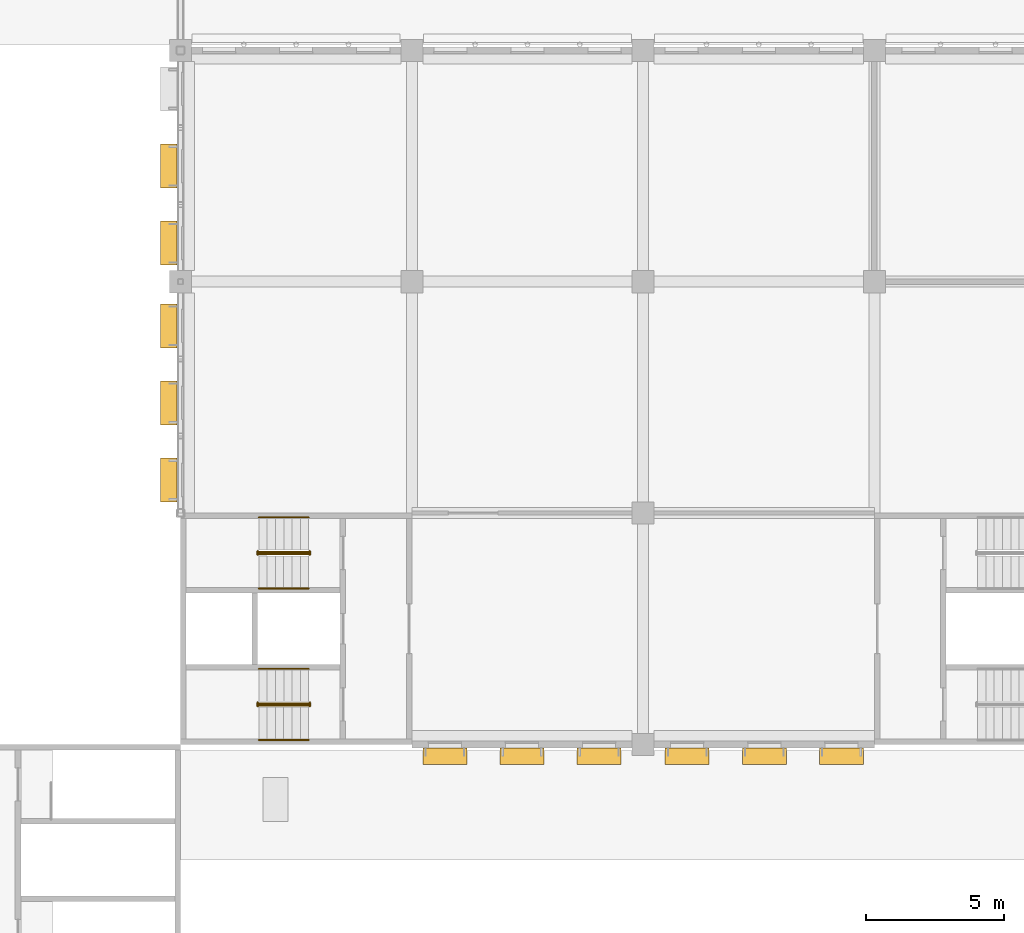
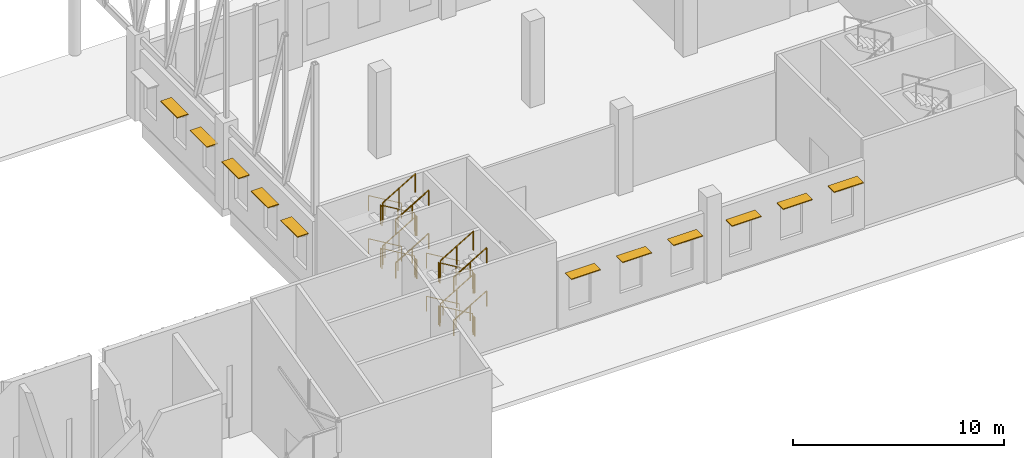
# One storey, part 81 of 101: 24 railings, 11 shading devices.
"""IFC4 building model written with IfcOpenShell, lengths in metres."""

from ifc_helpers import new_model, si_unit, direction, frame, origin, origin_2d, place, context, subcontext, project, spatial, rectangle, circle, extrude, material, material_profile, profile_set, type_object, element, save


model = new_model("IFC4")

# Units and contexts
model_context = context("Model", 3, precision=1e-05, world=origin(), true_north=direction((0.0, 1.0)))
body_context = subcontext(model_context, "Body", "Model", "MODEL_VIEW")
ifc_project = project(units=[si_unit("LENGTHUNIT", "METRE"), si_unit("AREAUNIT", "SQUARE_METRE"), si_unit("VOLUMEUNIT", "CUBIC_METRE"), si_unit("PLANEANGLEUNIT", "RADIAN"), si_unit("MASSUNIT", "GRAM", prefix="KILO")], contexts=[model_context])

# Site, building, storey
site_placement = place(None, origin())
site = spatial("IfcSite", under=ifc_project, at=site_placement, CompositionType="ELEMENT")
building_placement = place(site_placement, origin())
building = spatial("IfcBuilding", under=site, at=building_placement, Name="Almond Square Museum", CompositionType="ELEMENT")
storey_placement = place(building_placement, frame((0.0, 0.0, 5.5)))
storey = spatial("IfcBuildingStorey", under=building, at=storey_placement, Name="L01", CompositionType="ELEMENT", Elevation=5.5)

# Railings
ifc_material_1 = material(Name="Stainless steel and laminated glass", Category="steel")
railing_type_1 = type_object("IfcRailingType", Name="Stair guard 1100 steel and glass", PredefinedType="GUARDRAIL", material=ifc_material_1)
railing_1_placement = place(storey_placement, frame((44.25, 85.489990234375, 0.178466796875)))
element("IfcRailing", 1, at=railing_1_placement, inside=storey, type_object=railing_type_1, Name="L01 ST-17 stair guard 1", PredefinedType="GUARDRAIL", context=body_context, shape_type="SweptSolid", body=[
    extrude(circle(Radius=0.02392578125, at=origin_2d()), frame((0.0, 0.0, 1.076171875), z_axis=(-0.859277029364, 0.0, 0.511510495305), x_axis=(0.0, -1.0, 0.0)), (0.0, 0.0, 1.0), 2.0947265625),
    extrude(circle(Radius=0.02099609375, at=origin_2d()), origin(), (0.0, 0.0, 1.0), 1.052001953125),
    extrude(circle(Radius=0.02099609375, at=origin_2d()), frame((-0.89990234375, 0.0, 0.53564453125)), (0.0, 0.0, 1.0), 1.052001953125),
    extrude(circle(Radius=0.02099609375, at=origin_2d()), frame((-1.800048828125, 0.0, 1.071533203125)), (0.0, 0.0, 1.0), 1.052001953125),
])
railing_2_placement = place(storey_placement, frame((42.39990234375, 85.52001953125, 1.25)))
element("IfcRailing", 2, at=railing_2_placement, inside=storey, type_object=railing_type_1, Name="L01 ST-17 stair guard 2", PredefinedType="GUARDRAIL", context=body_context, shape_type="SweptSolid", body=[
    extrude(circle(Radius=0.02392578125, at=origin_2d()), frame((0.0, 0.0, 1.076171875), z_axis=(0.0, -1.0, 0.0), x_axis=(1.0, 0.0, 0.0)), (0.0, 0.0, 1.0), 0.14013671875),
    extrude(circle(Radius=0.02099609375, at=origin_2d()), origin(), (0.0, 0.0, 1.0), 1.052001953125),
    extrude(circle(Radius=0.02099609375, at=origin_2d()), frame((0.0, -0.14013671875, 0.0)), (0.0, 0.0, 1.0), 1.052001953125),
])
railing_3_placement = place(storey_placement, frame((42.449951171875, 85.409912109375, 1.428466796875)))
element("IfcRailing", 3, at=railing_3_placement, inside=storey, type_object=railing_type_1, Name="L01 ST-17 stair guard 3", PredefinedType="GUARDRAIL", context=body_context, shape_type="SweptSolid", body=[
    extrude(circle(Radius=0.02392578125, at=origin_2d()), frame((0.0, 0.0, 1.076171875), z_axis=(0.859277029364, 0.0, 0.511510495305), x_axis=(0.0, 1.0, 0.0)), (0.0, 0.0, 1.0), 2.0947265625),
    extrude(circle(Radius=0.02099609375, at=origin_2d()), origin(), (0.0, 0.0, 1.0), 1.052001953125),
    extrude(circle(Radius=0.02099609375, at=origin_2d()), frame((0.89990234375, 0.0, 0.53564453125)), (0.0, 0.0, 1.0), 1.052001953125),
    extrude(circle(Radius=0.02099609375, at=origin_2d()), frame((1.800048828125, 0.0, 1.071533203125)), (0.0, 0.0, 1.0), 1.052001953125),
])
railing_4_placement = place(storey_placement, frame((44.300048828125, 85.52001953125, 2.5)))
element("IfcRailing", 4, at=railing_4_placement, inside=storey, type_object=railing_type_1, Name="L01 ST-17 stair guard 4", PredefinedType="GUARDRAIL", context=body_context, shape_type="SweptSolid", body=[
    extrude(circle(Radius=0.02392578125, at=origin_2d()), frame((0.0, 0.0, 1.076171875), z_axis=(0.0, -1.0, 0.0), x_axis=(1.0, 0.0, 0.0)), (0.0, 0.0, 1.0), 0.14013671875),
    extrude(circle(Radius=0.02099609375, at=origin_2d()), origin(), (0.0, 0.0, 1.0), 1.052001953125),
    extrude(circle(Radius=0.02099609375, at=origin_2d()), frame((0.0, -0.14013671875, 0.0)), (0.0, 0.0, 1.0), 1.052001953125),
])
railing_5_placement = place(storey_placement, frame((44.25, 85.489990234375, 2.678466796875)))
element("IfcRailing", 5, at=railing_5_placement, inside=storey, type_object=railing_type_1, Name="L01 ST-17 stair guard 5", PredefinedType="GUARDRAIL", context=body_context, shape_type="SweptSolid", body=[
    extrude(circle(Radius=0.02392578125, at=origin_2d()), frame((0.0, 0.0, 1.076171875), z_axis=(-0.859277029364, 0.0, 0.511510495305), x_axis=(0.0, -1.0, 0.0)), (0.0, 0.0, 1.0), 2.0947265625),
    extrude(circle(Radius=0.02099609375, at=origin_2d()), origin(), (0.0, 0.0, 1.0), 1.052001953125),
    extrude(circle(Radius=0.02099609375, at=origin_2d()), frame((-0.89990234375, 0.0, 0.53564453125)), (0.0, 0.0, 1.0), 1.052001953125),
    extrude(circle(Radius=0.02099609375, at=origin_2d()), frame((-1.800048828125, 0.0, 1.071533203125)), (0.0, 0.0, 1.0), 1.052001953125),
])
railing_6_placement = place(storey_placement, frame((42.39990234375, 85.52001953125, 3.75)))
element("IfcRailing", 6, at=railing_6_placement, inside=storey, type_object=railing_type_1, Name="L01 ST-17 stair guard 6", PredefinedType="GUARDRAIL", context=body_context, shape_type="SweptSolid", body=[
    extrude(circle(Radius=0.02392578125, at=origin_2d()), frame((0.0, 0.0, 1.076171875), z_axis=(0.0, -1.0, 0.0), x_axis=(1.0, 0.0, 0.0)), (0.0, 0.0, 1.0), 0.14013671875),
    extrude(circle(Radius=0.02099609375, at=origin_2d()), origin(), (0.0, 0.0, 1.0), 1.052001953125),
    extrude(circle(Radius=0.02099609375, at=origin_2d()), frame((0.0, -0.14013671875, 0.0)), (0.0, 0.0, 1.0), 1.052001953125),
])
railing_7_placement = place(storey_placement, frame((42.449951171875, 85.409912109375, 3.928466796875)))
element("IfcRailing", 7, at=railing_7_placement, inside=storey, type_object=railing_type_1, Name="L01 ST-17 stair guard 7", PredefinedType="GUARDRAIL", context=body_context, shape_type="SweptSolid", body=[
    extrude(circle(Radius=0.02392578125, at=origin_2d()), frame((0.0, 0.0, 1.076171875), z_axis=(0.859277029364, 0.0, 0.511510495305), x_axis=(0.0, 1.0, 0.0)), (0.0, 0.0, 1.0), 2.0947265625),
    extrude(circle(Radius=0.02099609375, at=origin_2d()), origin(), (0.0, 0.0, 1.0), 1.052001953125),
    extrude(circle(Radius=0.02099609375, at=origin_2d()), frame((0.89990234375, 0.0, 0.53564453125)), (0.0, 0.0, 1.0), 1.052001953125),
    extrude(circle(Radius=0.02099609375, at=origin_2d()), frame((1.800048828125, 0.0, 1.071533203125)), (0.0, 0.0, 1.0), 1.052001953125),
])
railing_8_placement = place(storey_placement, frame((44.300048828125, 85.52001953125, 0.0)))
element("IfcRailing", 8, at=railing_8_placement, inside=storey, type_object=railing_type_1, Name="L01 ST-17 stair guard 8", PredefinedType="GUARDRAIL", context=body_context, shape_type="SweptSolid", body=[
    extrude(circle(Radius=0.02392578125, at=origin_2d()), frame((0.0, 0.0, 1.076171875), z_axis=(0.0, -1.0, 0.0), x_axis=(1.0, 0.0, 0.0)), (0.0, 0.0, 1.0), 0.14013671875),
    extrude(circle(Radius=0.02099609375, at=origin_2d()), origin(), (0.0, 0.0, 1.0), 1.052001953125),
    extrude(circle(Radius=0.02099609375, at=origin_2d()), frame((0.0, -0.14013671875, 0.0)), (0.0, 0.0, 1.0), 1.052001953125),
])
railing_9_placement = place(storey_placement, frame((44.25, 90.989990234375, 0.178466796875)))
element("IfcRailing", 9, at=railing_9_placement, inside=storey, type_object=railing_type_1, Name="L01 ST-18 stair guard 1", PredefinedType="GUARDRAIL", context=body_context, shape_type="SweptSolid", body=[
    extrude(circle(Radius=0.02392578125, at=origin_2d()), frame((0.0, 0.0, 1.076171875), z_axis=(-0.859277029364, 0.0, 0.511510495305), x_axis=(0.0, -1.0, 0.0)), (0.0, 0.0, 1.0), 2.0947265625),
    extrude(circle(Radius=0.02099609375, at=origin_2d()), origin(), (0.0, 0.0, 1.0), 1.052001953125),
    extrude(circle(Radius=0.02099609375, at=origin_2d()), frame((-0.89990234375, 0.0, 0.53564453125)), (0.0, 0.0, 1.0), 1.052001953125),
    extrude(circle(Radius=0.02099609375, at=origin_2d()), frame((-1.800048828125, 0.0, 1.071533203125)), (0.0, 0.0, 1.0), 1.052001953125),
])
railing_10_placement = place(storey_placement, frame((42.39990234375, 91.02001953125, 1.25)))
element("IfcRailing", 10, at=railing_10_placement, inside=storey, type_object=railing_type_1, Name="L01 ST-18 stair guard 2", PredefinedType="GUARDRAIL", context=body_context, shape_type="SweptSolid", body=[
    extrude(circle(Radius=0.02392578125, at=origin_2d()), frame((0.0, 0.0, 1.076171875), z_axis=(0.0, -1.0, 0.0), x_axis=(1.0, 0.0, 0.0)), (0.0, 0.0, 1.0), 0.14013671875),
    extrude(circle(Radius=0.02099609375, at=origin_2d()), origin(), (0.0, 0.0, 1.0), 1.052001953125),
    extrude(circle(Radius=0.02099609375, at=origin_2d()), frame((0.0, -0.14013671875, 0.0)), (0.0, 0.0, 1.0), 1.052001953125),
])
railing_11_placement = place(storey_placement, frame((42.449951171875, 90.909912109375, 1.428466796875)))
element("IfcRailing", 11, at=railing_11_placement, inside=storey, type_object=railing_type_1, Name="L01 ST-18 stair guard 3", PredefinedType="GUARDRAIL", context=body_context, shape_type="SweptSolid", body=[
    extrude(circle(Radius=0.02392578125, at=origin_2d()), frame((0.0, 0.0, 1.076171875), z_axis=(0.859277029364, 0.0, 0.511510495305), x_axis=(0.0, 1.0, 0.0)), (0.0, 0.0, 1.0), 2.0947265625),
    extrude(circle(Radius=0.02099609375, at=origin_2d()), origin(), (0.0, 0.0, 1.0), 1.052001953125),
    extrude(circle(Radius=0.02099609375, at=origin_2d()), frame((0.89990234375, 0.0, 0.53564453125)), (0.0, 0.0, 1.0), 1.052001953125),
    extrude(circle(Radius=0.02099609375, at=origin_2d()), frame((1.800048828125, 0.0, 1.071533203125)), (0.0, 0.0, 1.0), 1.052001953125),
])
railing_12_placement = place(storey_placement, frame((44.300048828125, 91.02001953125, 2.5)))
element("IfcRailing", 12, at=railing_12_placement, inside=storey, type_object=railing_type_1, Name="L01 ST-18 stair guard 4", PredefinedType="GUARDRAIL", context=body_context, shape_type="SweptSolid", body=[
    extrude(circle(Radius=0.02392578125, at=origin_2d()), frame((0.0, 0.0, 1.076171875), z_axis=(0.0, -1.0, 0.0), x_axis=(1.0, 0.0, 0.0)), (0.0, 0.0, 1.0), 0.14013671875),
    extrude(circle(Radius=0.02099609375, at=origin_2d()), origin(), (0.0, 0.0, 1.0), 1.052001953125),
    extrude(circle(Radius=0.02099609375, at=origin_2d()), frame((0.0, -0.14013671875, 0.0)), (0.0, 0.0, 1.0), 1.052001953125),
])
railing_13_placement = place(storey_placement, frame((44.25, 90.989990234375, 2.678466796875)))
element("IfcRailing", 13, at=railing_13_placement, inside=storey, type_object=railing_type_1, Name="L01 ST-18 stair guard 5", PredefinedType="GUARDRAIL", context=body_context, shape_type="SweptSolid", body=[
    extrude(circle(Radius=0.02392578125, at=origin_2d()), frame((0.0, 0.0, 1.076171875), z_axis=(-0.859277029364, 0.0, 0.511510495305), x_axis=(0.0, -1.0, 0.0)), (0.0, 0.0, 1.0), 2.0947265625),
    extrude(circle(Radius=0.02099609375, at=origin_2d()), origin(), (0.0, 0.0, 1.0), 1.052001953125),
    extrude(circle(Radius=0.02099609375, at=origin_2d()), frame((-0.89990234375, 0.0, 0.53564453125)), (0.0, 0.0, 1.0), 1.052001953125),
    extrude(circle(Radius=0.02099609375, at=origin_2d()), frame((-1.800048828125, 0.0, 1.071533203125)), (0.0, 0.0, 1.0), 1.052001953125),
])
railing_14_placement = place(storey_placement, frame((42.39990234375, 91.02001953125, 3.75)))
element("IfcRailing", 14, at=railing_14_placement, inside=storey, type_object=railing_type_1, Name="L01 ST-18 stair guard 6", PredefinedType="GUARDRAIL", context=body_context, shape_type="SweptSolid", body=[
    extrude(circle(Radius=0.02392578125, at=origin_2d()), frame((0.0, 0.0, 1.076171875), z_axis=(0.0, -1.0, 0.0), x_axis=(1.0, 0.0, 0.0)), (0.0, 0.0, 1.0), 0.14013671875),
    extrude(circle(Radius=0.02099609375, at=origin_2d()), origin(), (0.0, 0.0, 1.0), 1.052001953125),
    extrude(circle(Radius=0.02099609375, at=origin_2d()), frame((0.0, -0.14013671875, 0.0)), (0.0, 0.0, 1.0), 1.052001953125),
])
railing_15_placement = place(storey_placement, frame((42.449951171875, 90.909912109375, 3.928466796875)))
element("IfcRailing", 15, at=railing_15_placement, inside=storey, type_object=railing_type_1, Name="L01 ST-18 stair guard 7", PredefinedType="GUARDRAIL", context=body_context, shape_type="SweptSolid", body=[
    extrude(circle(Radius=0.02392578125, at=origin_2d()), frame((0.0, 0.0, 1.076171875), z_axis=(0.859277029364, 0.0, 0.511510495305), x_axis=(0.0, 1.0, 0.0)), (0.0, 0.0, 1.0), 2.0947265625),
    extrude(circle(Radius=0.02099609375, at=origin_2d()), origin(), (0.0, 0.0, 1.0), 1.052001953125),
    extrude(circle(Radius=0.02099609375, at=origin_2d()), frame((0.89990234375, 0.0, 0.53564453125)), (0.0, 0.0, 1.0), 1.052001953125),
    extrude(circle(Radius=0.02099609375, at=origin_2d()), frame((1.800048828125, 0.0, 1.071533203125)), (0.0, 0.0, 1.0), 1.052001953125),
])
railing_16_placement = place(storey_placement, frame((44.300048828125, 91.02001953125, 0.0)))
element("IfcRailing", 16, at=railing_16_placement, inside=storey, type_object=railing_type_1, Name="L01 ST-18 stair guard 8", PredefinedType="GUARDRAIL", context=body_context, shape_type="SweptSolid", body=[
    extrude(circle(Radius=0.02392578125, at=origin_2d()), frame((0.0, 0.0, 1.076171875), z_axis=(0.0, -1.0, 0.0), x_axis=(1.0, 0.0, 0.0)), (0.0, 0.0, 1.0), 0.14013671875),
    extrude(circle(Radius=0.02099609375, at=origin_2d()), origin(), (0.0, 0.0, 1.0), 1.052001953125),
    extrude(circle(Radius=0.02099609375, at=origin_2d()), frame((0.0, -0.14013671875, 0.0)), (0.0, 0.0, 1.0), 1.052001953125),
])
ifc_material_2 = material(Name="Stainless steel", Category="steel")
railing_type_2 = type_object("IfcRailingType", Name="Stair handrail 900 steel", PredefinedType="HANDRAIL", material=ifc_material_2)
railing_17_placement = place(storey_placement, frame((44.25, 86.7451171875, 0.178466796875)))
element("IfcRailing", 17, at=railing_17_placement, inside=storey, type_object=railing_type_2, Name="L01 ST-17 stair handrail 1", PredefinedType="HANDRAIL", context=body_context, shape_type="SweptSolid", body=[
    extrude(circle(Radius=0.02392578125, at=origin_2d()), frame((0.0, 0.0, 0.8759765625), z_axis=(-0.859277029364, 0.0, 0.511510495305), x_axis=(0.0, -1.0, 0.0)), (0.0, 0.0, 1.0), 2.0947265625),
    extrude(circle(Radius=0.02099609375, at=origin_2d()), origin(), (0.0, 0.0, 1.0), 0.851806640625),
    extrude(circle(Radius=0.02099609375, at=origin_2d()), frame((-0.89990234375, 0.0, 0.53564453125)), (0.0, 0.0, 1.0), 0.851806640625),
    extrude(circle(Radius=0.02099609375, at=origin_2d()), frame((-1.800048828125, 0.0, 1.071533203125)), (0.0, 0.0, 1.0), 0.851806640625),
])
railing_18_placement = place(storey_placement, frame((42.449951171875, 84.155029296875, 1.428466796875)))
element("IfcRailing", 18, at=railing_18_placement, inside=storey, type_object=railing_type_2, Name="L01 ST-17 stair handrail 2", PredefinedType="HANDRAIL", context=body_context, shape_type="SweptSolid", body=[
    extrude(circle(Radius=0.02392578125, at=origin_2d()), frame((0.0, 0.0, 0.8759765625), z_axis=(0.859277029364, 0.0, 0.511510495305), x_axis=(0.0, 1.0, 0.0)), (0.0, 0.0, 1.0), 2.0947265625),
    extrude(circle(Radius=0.02099609375, at=origin_2d()), origin(), (0.0, 0.0, 1.0), 0.851806640625),
    extrude(circle(Radius=0.02099609375, at=origin_2d()), frame((0.89990234375, 0.0, 0.53564453125)), (0.0, 0.0, 1.0), 0.851806640625),
    extrude(circle(Radius=0.02099609375, at=origin_2d()), frame((1.800048828125, 0.0, 1.071533203125)), (0.0, 0.0, 1.0), 0.851806640625),
])
railing_19_placement = place(storey_placement, frame((44.25, 86.7451171875, 2.678466796875)))
element("IfcRailing", 19, at=railing_19_placement, inside=storey, type_object=railing_type_2, Name="L01 ST-17 stair handrail 3", PredefinedType="HANDRAIL", context=body_context, shape_type="SweptSolid", body=[
    extrude(circle(Radius=0.02392578125, at=origin_2d()), frame((0.0, 0.0, 0.8759765625), z_axis=(-0.859277029364, 0.0, 0.511510495305), x_axis=(0.0, -1.0, 0.0)), (0.0, 0.0, 1.0), 2.0947265625),
    extrude(circle(Radius=0.02099609375, at=origin_2d()), origin(), (0.0, 0.0, 1.0), 0.851806640625),
    extrude(circle(Radius=0.02099609375, at=origin_2d()), frame((-0.89990234375, 0.0, 0.53564453125)), (0.0, 0.0, 1.0), 0.851806640625),
    extrude(circle(Radius=0.02099609375, at=origin_2d()), frame((-1.800048828125, 0.0, 1.071533203125)), (0.0, 0.0, 1.0), 0.851806640625),
])
railing_20_placement = place(storey_placement, frame((42.449951171875, 84.155029296875, 3.928466796875)))
element("IfcRailing", 20, at=railing_20_placement, inside=storey, type_object=railing_type_2, Name="L01 ST-17 stair handrail 4", PredefinedType="HANDRAIL", context=body_context, shape_type="SweptSolid", body=[
    extrude(circle(Radius=0.02392578125, at=origin_2d()), frame((0.0, 0.0, 0.8759765625), z_axis=(0.859277029364, 0.0, 0.511510495305), x_axis=(0.0, 1.0, 0.0)), (0.0, 0.0, 1.0), 2.0947265625),
    extrude(circle(Radius=0.02099609375, at=origin_2d()), origin(), (0.0, 0.0, 1.0), 0.851806640625),
    extrude(circle(Radius=0.02099609375, at=origin_2d()), frame((0.89990234375, 0.0, 0.53564453125)), (0.0, 0.0, 1.0), 0.851806640625),
    extrude(circle(Radius=0.02099609375, at=origin_2d()), frame((1.800048828125, 0.0, 1.071533203125)), (0.0, 0.0, 1.0), 0.851806640625),
])
railing_21_placement = place(storey_placement, frame((44.25, 92.2451171875, 0.178466796875)))
element("IfcRailing", 21, at=railing_21_placement, inside=storey, type_object=railing_type_2, Name="L01 ST-18 stair handrail 1", PredefinedType="HANDRAIL", context=body_context, shape_type="SweptSolid", body=[
    extrude(circle(Radius=0.02392578125, at=origin_2d()), frame((0.0, 0.0, 0.8759765625), z_axis=(-0.859277029364, 0.0, 0.511510495305), x_axis=(0.0, -1.0, 0.0)), (0.0, 0.0, 1.0), 2.0947265625),
    extrude(circle(Radius=0.02099609375, at=origin_2d()), origin(), (0.0, 0.0, 1.0), 0.851806640625),
    extrude(circle(Radius=0.02099609375, at=origin_2d()), frame((-0.89990234375, 0.0, 0.53564453125)), (0.0, 0.0, 1.0), 0.851806640625),
    extrude(circle(Radius=0.02099609375, at=origin_2d()), frame((-1.800048828125, 0.0, 1.071533203125)), (0.0, 0.0, 1.0), 0.851806640625),
])
railing_22_placement = place(storey_placement, frame((42.449951171875, 89.655029296875, 1.428466796875)))
element("IfcRailing", 22, at=railing_22_placement, inside=storey, type_object=railing_type_2, Name="L01 ST-18 stair handrail 2", PredefinedType="HANDRAIL", context=body_context, shape_type="SweptSolid", body=[
    extrude(circle(Radius=0.02392578125, at=origin_2d()), frame((0.0, 0.0, 0.8759765625), z_axis=(0.859277029364, 0.0, 0.511510495305), x_axis=(0.0, 1.0, 0.0)), (0.0, 0.0, 1.0), 2.0947265625),
    extrude(circle(Radius=0.02099609375, at=origin_2d()), origin(), (0.0, 0.0, 1.0), 0.851806640625),
    extrude(circle(Radius=0.02099609375, at=origin_2d()), frame((0.89990234375, 0.0, 0.53564453125)), (0.0, 0.0, 1.0), 0.851806640625),
    extrude(circle(Radius=0.02099609375, at=origin_2d()), frame((1.800048828125, 0.0, 1.071533203125)), (0.0, 0.0, 1.0), 0.851806640625),
])
railing_23_placement = place(storey_placement, frame((44.25, 92.2451171875, 2.678466796875)))
element("IfcRailing", 23, at=railing_23_placement, inside=storey, type_object=railing_type_2, Name="L01 ST-18 stair handrail 3", PredefinedType="HANDRAIL", context=body_context, shape_type="SweptSolid", body=[
    extrude(circle(Radius=0.02392578125, at=origin_2d()), frame((0.0, 0.0, 0.8759765625), z_axis=(-0.859277029364, 0.0, 0.511510495305), x_axis=(0.0, -1.0, 0.0)), (0.0, 0.0, 1.0), 2.0947265625),
    extrude(circle(Radius=0.02099609375, at=origin_2d()), origin(), (0.0, 0.0, 1.0), 0.851806640625),
    extrude(circle(Radius=0.02099609375, at=origin_2d()), frame((-0.89990234375, 0.0, 0.53564453125)), (0.0, 0.0, 1.0), 0.851806640625),
    extrude(circle(Radius=0.02099609375, at=origin_2d()), frame((-1.800048828125, 0.0, 1.071533203125)), (0.0, 0.0, 1.0), 0.851806640625),
])
railing_24_placement = place(storey_placement, frame((42.449951171875, 89.655029296875, 3.928466796875)))
element("IfcRailing", 24, at=railing_24_placement, inside=storey, type_object=railing_type_2, Name="L01 ST-18 stair handrail 4", PredefinedType="HANDRAIL", context=body_context, shape_type="SweptSolid", body=[
    extrude(circle(Radius=0.02392578125, at=origin_2d()), frame((0.0, 0.0, 0.8759765625), z_axis=(0.859277029364, 0.0, 0.511510495305), x_axis=(0.0, 1.0, 0.0)), (0.0, 0.0, 1.0), 2.0947265625),
    extrude(circle(Radius=0.02099609375, at=origin_2d()), origin(), (0.0, 0.0, 1.0), 0.851806640625),
    extrude(circle(Radius=0.02099609375, at=origin_2d()), frame((0.89990234375, 0.0, 0.53564453125)), (0.0, 0.0, 1.0), 0.851806640625),
    extrude(circle(Radius=0.02099609375, at=origin_2d()), frame((1.800048828125, 0.0, 1.071533203125)), (0.0, 0.0, 1.0), 0.851806640625),
])

# Shading devices
ifc_material_3 = material(Name="Anodised aluminium", Category="aluminium")
ifc_material_profile = material_profile(ifc_material_3, rectangle(XDim=0.60009765625, YDim=0.050048828125, at=origin_2d()))
ifc_profile_set = profile_set([ifc_material_profile], Name="Anodised aluminium")
shading_device_type = type_object("IfcShadingDeviceType", Name="Sun-shade blade 600 x 50", PredefinedType="USERDEFINED", material=ifc_profile_set)
for number, where, z_axis, x_axis, name in (
    (25, (39.177001953125, 101.39990234375, 3.1201171875), (0.0, 1.0, 0.0), (-1.0, 0.0, 0.0), "Sun-shade blade"),
    (26, (39.177001953125, 104.199951171875, 3.1201171875), (0.0, 1.0, 0.0), (-1.0, 0.0, 0.0), "Sun-shade blade"),
):
    element("IfcShadingDevice", number, at=place(storey_placement, frame(where, z_axis=z_axis, x_axis=x_axis)), inside=storey, type_object=shading_device_type, Name=name, ObjectType="LOUVRE", PredefinedType="USERDEFINED", context=body_context, shape_type="SweptSolid", body=[
        extrude(rectangle(XDim=0.60009765625, YDim=0.050048828125, at=origin_2d()), origin(), (0.0, 0.0, 1.0), 1.60009765625),
    ])
for number, where, z_axis, x_axis, name in (
    (27, (39.177001953125, 92.800048828125, 3.1201171875), (0.0, 1.0, 0.0), (-1.0, 0.0, 0.0), "Sun-shade blade"),
    (28, (39.177001953125, 95.60009765625, 3.1201171875), (0.0, 1.0, 0.0), (-1.0, 0.0, 0.0), "Sun-shade blade"),
):
    element("IfcShadingDevice", number, at=place(storey_placement, frame(where, z_axis=z_axis, x_axis=x_axis)), inside=storey, type_object=shading_device_type, Name=name, ObjectType="LOUVRE", PredefinedType="USERDEFINED", context=body_context, shape_type="SweptSolid", body=[
        extrude(rectangle(XDim=0.60009765625, YDim=0.050048828125, at=origin_2d()), origin(), (0.0, 0.0, 1.0), 1.599853515625),
    ])
for number, where, z_axis, x_axis, name in (
    (29, (39.177001953125, 98.39990234375, 3.1201171875), (0.0, 1.0, 0.0), (-1.0, 0.0, 0.0), "Sun-shade blade"),
    (30, (48.39990234375, 83.576904296875, 3.1201171875), (1.0, 0.0, 0.0), (0.0, 1.0, 0.0), "Sun-shade blade"),
    (31, (51.199951171875, 83.576904296875, 3.1201171875), (1.0, 0.0, 0.0), (0.0, 1.0, 0.0), "Sun-shade blade"),
    (32, (54.0, 83.576904296875, 3.1201171875), (1.0, 0.0, 0.0), (0.0, 1.0, 0.0), "Sun-shade blade"),
    (33, (57.199951171875, 83.576904296875, 3.1201171875), (1.0, 0.0, 0.0), (0.0, 1.0, 0.0), "Sun-shade blade"),
    (34, (60.0, 83.576904296875, 3.1201171875), (1.0, 0.0, 0.0), (0.0, 1.0, 0.0), "Sun-shade blade"),
):
    element("IfcShadingDevice", number, at=place(storey_placement, frame(where, z_axis=z_axis, x_axis=x_axis)), inside=storey, type_object=shading_device_type, Name=name, ObjectType="LOUVRE", PredefinedType="USERDEFINED", context=body_context, shape_type="SweptSolid", body=[
        extrude(rectangle(XDim=0.60009765625, YDim=0.050048828125, at=origin_2d()), origin(), (0.0, 0.0, 1.0), 1.60009765625),
    ])
shading_device_placement = place(storey_placement, frame((62.800048828125, 83.576904296875, 3.1201171875), z_axis=(1.0, 0.0, 0.0), x_axis=(0.0, 1.0, 0.0)))
element("IfcShadingDevice", 35, at=shading_device_placement, inside=storey, type_object=shading_device_type, Name="Sun-shade blade", ObjectType="LOUVRE", PredefinedType="USERDEFINED", context=body_context, shape_type="SweptSolid", body=[
    extrude(rectangle(XDim=0.60009765625, YDim=0.050048828125, at=origin_2d()), origin(), (0.0, 0.0, 1.0), 1.599853515625),
])

save(model, "model.ifc")
